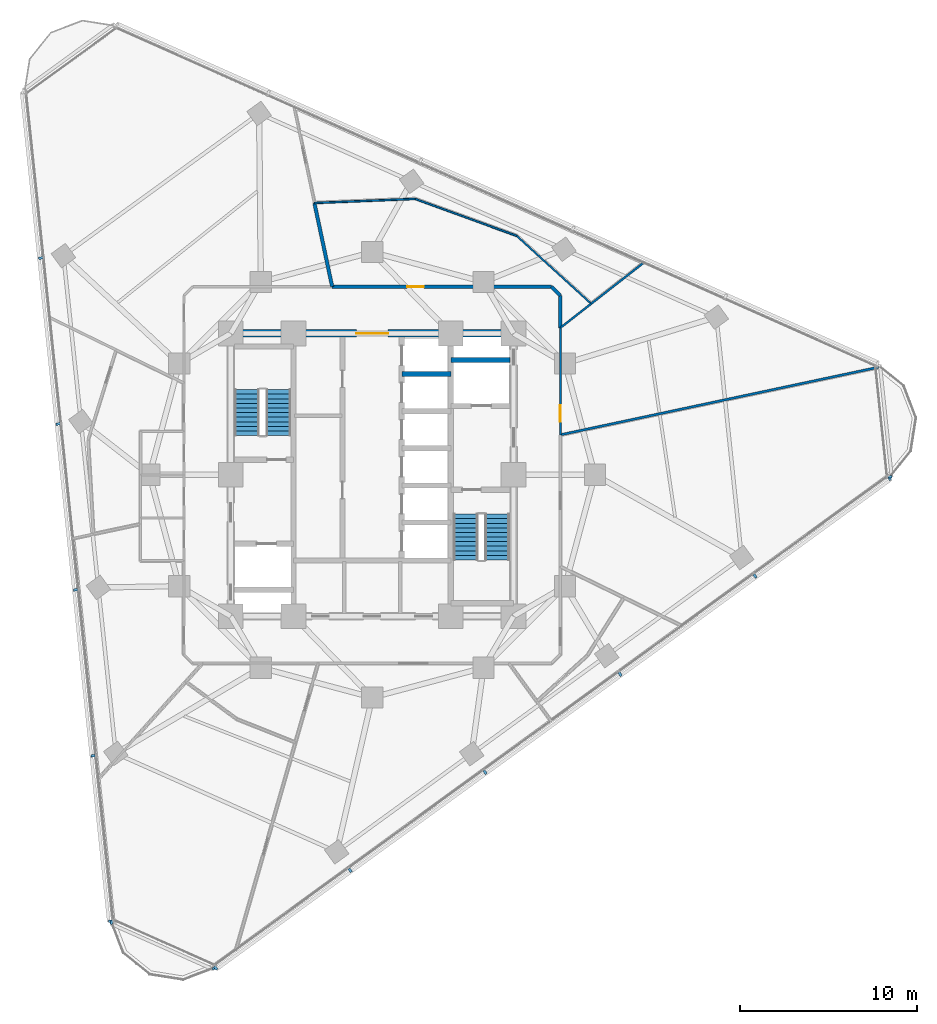
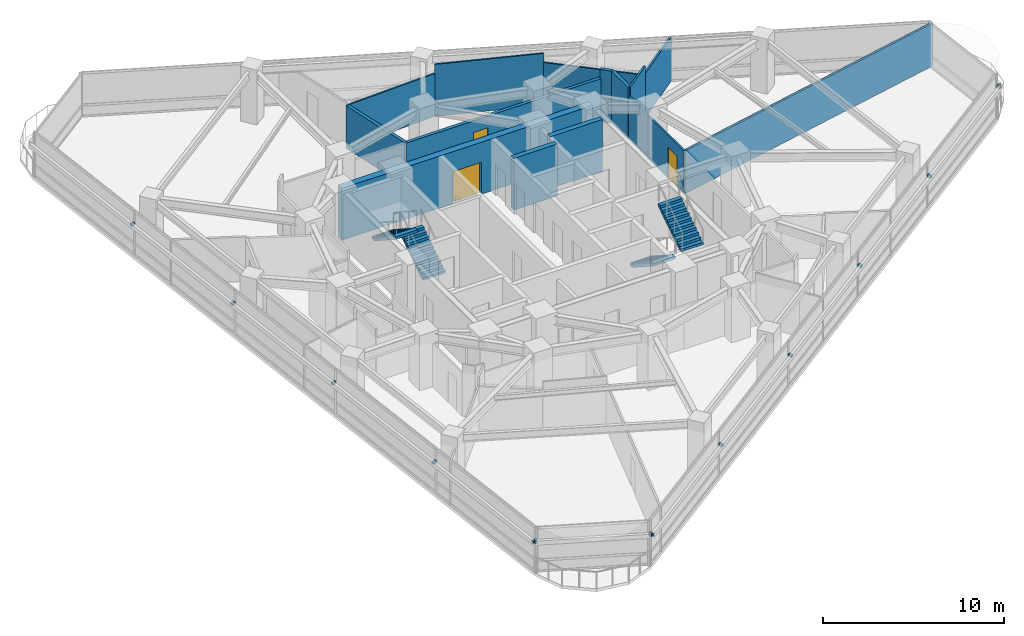
# One storey, part 10 of 14: 14 discrete accessories, 14 walls, 4 stair flights, 3 doors, 3 openings, 2 elements without a shape of their own.
"""IFC4 building model written with IfcOpenShell, lengths in metres."""

from ifc_helpers import new_model, si_unit, direction, frame, frame_2d, origin, origin_2d, place, context, subcontext, project, spatial, polyline, rectangle, outline, extrude, material, layer, layer_set, type_object, element, fill, aggregate, save


model = new_model("IFC4")

# Units and contexts
model_context = context("Model", 3, precision=1e-05, world=origin(), true_north=direction((0.0, 1.0)))
body_context = subcontext(model_context, "Body", "Model", "MODEL_VIEW")
ifc_project = project(units=[si_unit("LENGTHUNIT", "METRE"), si_unit("AREAUNIT", "SQUARE_METRE"), si_unit("VOLUMEUNIT", "CUBIC_METRE"), si_unit("PLANEANGLEUNIT", "RADIAN"), si_unit("MASSUNIT", "GRAM", prefix="KILO")], contexts=[model_context])

# Site, building, storey
site_placement = place(None, origin())
site = spatial("IfcSite", under=ifc_project, at=site_placement, CompositionType="ELEMENT")
building_placement = place(site_placement, origin())
building = spatial("IfcBuilding", under=site, at=building_placement, Name="Terralouvre Media Tower", CompositionType="ELEMENT")
storey_placement = place(building_placement, frame((0.0, 0.0, 169.39990234375)))
storey = spatial("IfcBuildingStorey", under=building, at=storey_placement, Name="L43", CompositionType="ELEMENT", Elevation=169.39990234375)

# Walls
ifc_material_1 = material(Name="Concrete C50/60", Category="concrete")
ifc_layer_1 = layer(ifc_material_1, 0.300048828125, Name="Core Internal Shaft Wall CW-300")
ifc_layer_set_1 = layer_set([ifc_layer_1], Name="Concrete C50/60")
wall_type_1 = type_object("IfcWallType", Name="Core Internal Shaft Wall CW-300", PredefinedType="SHEAR", material=ifc_layer_set_1)
wall_1_placement = place(storey_placement, frame((4.449951171875, 6.5, 0.0), z_axis=(0.0, 0.0, 1.0), x_axis=(1.0, 0.0, 0.0)))
element("IfcWall", 1, at=wall_1_placement, inside=storey, type_object=wall_type_1, Name="L43 Core Shaft Wall FF2N", PredefinedType="SHEAR", context=body_context, shape_type="SweptSolid", body=[
    extrude(rectangle(XDim=3.340087890625, YDim=0.300048828125, at=frame_2d((1.669921875, 0.0))), origin(), (0.0, 0.0, 1.0), 3.5),
])
wall_2_placement = place(storey_placement, frame((1.679931640625, 5.699951171875, 0.0), z_axis=(0.0, 0.0, 1.0), x_axis=(1.0, 0.0, 0.0)))
element("IfcWall", 2, at=wall_2_placement, inside=storey, type_object=wall_type_1, Name="L43 Core Shaft Wall PLMD2", PredefinedType="SHEAR", context=body_context, shape_type="SweptSolid", body=[
    extrude(rectangle(XDim=2.77001953125, YDim=0.300048828125, at=frame_2d((1.385009765625, 0.0))), origin(), (0.0, 0.0, 1.0), 3.5),
])

# Wall, opening, door
ifc_material_2 = material(Name="Concrete C60/75", Category="concrete")
ifc_layer_2 = layer(ifc_material_2, 0.419921875, Name="Core Reinforced Concrete Shear Wall CW-420")
ifc_layer_set_2 = layer_set([ifc_layer_2], Name="Concrete C60/75")
wall_type_2 = type_object("IfcWallType", Name="Core Reinforced Concrete Shear Wall CW-420", PredefinedType="SHEAR", material=ifc_layer_set_2)
wall_3_placement = place(storey_placement, frame((-8.0, 8.0, 0.0), z_axis=(0.0, 0.0, 1.0), x_axis=(1.0, 0.0, 0.0)))
wall_3 = element("IfcWall", 3, at=wall_3_placement, inside=storey, type_object=wall_type_2, Name="L43 N Core Shear Wall", PredefinedType="SHEAR", context=body_context, shape_type="SweptSolid", body=[
    extrude(rectangle(XDim=16.0, YDim=0.419921875, at=frame_2d((8.0, 0.0))), origin(), (0.0, 0.0, 1.0), 3.5),
])
opening_1_placement = place(wall_3_placement, frame((7.10009765625, 0.0, 0.0)))
opening_1 = element("IfcOpeningElement", 4, at=opening_1_placement, cuts=wall_3, Name="Opening FD-03", PredefinedType="OPENING", context=body_context, shape_type="SweptSolid", body=[
    extrude(rectangle(XDim=1.800048828125, YDim=2.14990234375, at=frame_2d((0.89990234375, 1.074951171875))), frame((0.0, 0.219970703125, 0.0), z_axis=(0.0, -1.0, 0.0), x_axis=(1.0, 0.0, 0.0)), (0.0, 0.0, 1.0), 0.43994140625),
])
ifc_material_3 = material(Name="Galvanised steel fire-resisting leaf", Category="steel")
door_type_1 = type_object("IfcDoorType", Name="Corridor Smoke-Control Double Door FD-03", OperationType="DOUBLE_DOOR_SINGLE_SWING", PredefinedType="DOOR", material=ifc_material_3)
door_1_placement = place(opening_1_placement, origin())
door_1 = element("IfcDoor", 5, at=door_1_placement, inside=storey, type_object=door_type_1, Name="L43 Central Lift Lobby Portal Door", OperationType="DOUBLE_DOOR_SINGLE_SWING", OverallHeight=2.14990234375, OverallWidth=1.800048828125, PredefinedType="DOOR", context=body_context, shape_type="SweptSolid", body=[
    extrude(rectangle(XDim=1.800048828125, YDim=2.14990234375, at=frame_2d((0.89990234375, 1.074951171875))), frame((0.0, 0.02490234375, 0.0), z_axis=(0.0, -1.0, 0.0), x_axis=(1.0, 0.0, 0.0)), (0.0, 0.0, 1.0), 0.050048828125),
])
fill(opening_1, door_1)

# Walls
ifc_material_4 = material(Name="Low-iron laminated double glazing with solar-control coating", Category="glass")
ifc_layer_3 = layer(ifc_material_4, 0.10009765625, Name="Demountable Glazed Office Partition PT-GL100")
ifc_layer_set_3 = layer_set([ifc_layer_3], Name="Low-iron laminated double glazing with solar-control coating")
wall_type_3 = type_object("IfcWallType", Name="Demountable Glazed Office Partition PT-GL100", PredefinedType="MOVABLE", material=ifc_layer_set_3)
wall_4_placement = place(storey_placement, frame((-3.26904296875, 15.381103515625, 0.0), z_axis=(0.0, 0.0, 1.0), x_axis=(0.999171753478, 0.040691609114, 0.0)))
element("IfcWall", 6, at=wall_4_placement, inside=storey, type_object=wall_type_3, Name="L43 Interior Partition 044", PredefinedType="MOVABLE", context=body_context, shape_type="SweptSolid", body=[
    extrude(rectangle(XDim=5.69970703125, YDim=0.10009765625, at=frame_2d((2.849853515625, 0.0))), origin(), (0.0, 0.0, 1.0), 2.885009765625),
])
wall_5_placement = place(storey_placement, frame((2.426025390625, 15.613037109375, 0.0), z_axis=(0.0, 0.0, 1.0), x_axis=(0.939701375228, -0.341996089736, 0.0)))
element("IfcWall", 7, at=wall_5_placement, inside=storey, type_object=wall_type_3, Name="L43 Interior Partition 045", PredefinedType="MOVABLE", context=body_context, shape_type="SweptSolid", body=[
    extrude(rectangle(XDim=6.1201171875, YDim=0.10009765625, at=frame_2d((3.06005859375, 0.0))), origin(), (0.0, 0.0, 1.0), 3.5),
])
wall_6_placement = place(storey_placement, frame((8.177001953125, 13.52001953125, 0.0), z_axis=(0.0, 0.0, 1.0), x_axis=(0.739232344885, -0.673450473514, 0.0)))
element("IfcWall", 8, at=wall_6_placement, inside=storey, type_object=wall_type_3, Name="L43 Interior Partition 046", PredefinedType="MOVABLE", context=body_context, shape_type="SweptSolid", body=[
    extrude(rectangle(XDim=5.70068359375, YDim=0.10009765625, at=frame_2d((2.850341796875, 0.0))), origin(), (0.0, 0.0, 1.0), 2.885009765625),
])
ifc_material_5 = material(Name="Fire-rated gypsum board drywall partition")
ifc_layer_4 = layer(ifc_material_5, 0.199951171875, Name="Fire-Rated Shaft and Lobby Partition FW-200")
ifc_layer_set_4 = layer_set([ifc_layer_4], Name="Fire-rated gypsum board drywall partition")
wall_type_4 = type_object("IfcWallType", Name="Fire-Rated Shaft and Lobby Partition FW-200", PredefinedType="SOLIDWALL", material=ifc_layer_set_4)
wall_7_placement = place(storey_placement, frame((10.64990234375, 8.321044921875, 0.0), z_axis=(0.0, 0.0, 1.0), x_axis=(0.0, 1.0, 0.0)))
element("IfcWall", 9, at=wall_7_placement, inside=storey, type_object=wall_type_4, Name="L43 Interior Partition 013", PredefinedType="SOLIDWALL", context=body_context, shape_type="SweptSolid", body=[
    extrude(rectangle(XDim=1.828857421875, YDim=0.199951171875, at=frame_2d((0.91455078125, 0.0))), origin(), (0.0, 0.0, 1.0), 3.5),
])
wall_8_placement = place(storey_placement, frame((10.64990234375, 10.14990234375, 0.0), z_axis=(0.0, 0.0, 1.0), x_axis=(-0.707106781187, 0.707106781187, 0.0)))
element("IfcWall", 10, at=wall_8_placement, inside=storey, type_object=wall_type_4, Name="L43 Interior Partition 014", PredefinedType="SOLIDWALL", context=body_context, shape_type="SweptSolid", body=[
    extrude(rectangle(XDim=0.70703125, YDim=0.199951171875, at=frame_2d((0.353515625, 0.0))), origin(), (0.0, 0.0, 1.0), 3.5),
])

# Wall, opening, door
wall_9_placement = place(storey_placement, frame((10.14990234375, 10.64990234375, 0.0), z_axis=(0.0, 0.0, 1.0), x_axis=(-1.0, 0.0, 0.0)))
wall_9 = element("IfcWall", 11, at=wall_9_placement, inside=storey, type_object=wall_type_4, Name="L43 Interior Partition 015", PredefinedType="SOLIDWALL", context=body_context, shape_type="SweptSolid", body=[
    extrude(rectangle(XDim=12.413818359375, YDim=0.199951171875, at=frame_2d((6.20703125, 0.0))), origin(), (0.0, 0.0, 1.0), 2.885009765625),
])
opening_2_placement = place(wall_9_placement, frame((7.2216796875, 0.0, 0.0)))
opening_2 = element("IfcOpeningElement", 12, at=opening_2_placement, cuts=wall_9, Name="Opening FD-02-95X210", PredefinedType="OPENING", context=body_context, shape_type="SweptSolid", body=[
    extrude(rectangle(XDim=0.949951171875, YDim=2.10009765625, at=frame_2d((0.47509765625, 1.050048828125))), frame((0.0, 0.10986328125, 0.0), z_axis=(0.0, -1.0, 0.0), x_axis=(1.0, 0.0, 0.0)), (0.0, 0.0, 1.0), 0.219970703125),
])
ifc_material_6 = material(Name="Galvanised steel fire-resisting leaf", Category="steel")
door_type_2 = type_object("IfcDoorType", Name="Plant and Riser Fire Door FD-02 (950x2100)", OperationType="NOTDEFINED", PredefinedType="DOOR", material=ifc_material_6)
door_2_placement = place(opening_2_placement, origin())
door_2 = element("IfcDoor", 13, at=door_2_placement, inside=storey, type_object=door_type_2, Name="L43 AV Teaching Rack Server Room 10 Door", OperationType="SINGLE_SWING_LEFT", OverallHeight=2.10009765625, OverallWidth=0.949951171875, PredefinedType="DOOR", context=body_context, shape_type="SweptSolid", body=[
    extrude(rectangle(XDim=0.949951171875, YDim=2.10009765625, at=frame_2d((0.47509765625, 1.050048828125))), frame((0.0, 0.02490234375, 0.0), z_axis=(0.0, -1.0, 0.0), x_axis=(1.0, 0.0, 0.0)), (0.0, 0.0, 1.0), 0.050048828125),
])
fill(opening_2, door_2)

# Walls
wall_10_placement = place(storey_placement, frame((-3.26904296875, 15.381103515625, 0.0), z_axis=(0.0, 0.0, 1.0), x_axis=(0.207808649559, -0.978169497157, 0.0)))
element("IfcWall", 14, at=wall_10_placement, inside=storey, type_object=wall_type_4, Name="L43 Interior Partition 048", PredefinedType="SOLIDWALL", context=body_context, shape_type="SweptSolid", body=[
    extrude(rectangle(XDim=4.836669921875, YDim=0.199951171875, at=frame_2d((2.41845703125, 0.0))), origin(), (0.0, 0.0, 1.0), 2.885009765625),
])
ifc_material_7 = material(Name="Fire-rated gypsum board drywall partition")
ifc_layer_5 = layer(ifc_material_7, 0.135009765625, Name="Newsroom Acoustic Partition PT-135")
ifc_layer_set_5 = layer_set([ifc_layer_5], Name="Fire-rated gypsum board drywall partition")
wall_type_5 = type_object("IfcWallType", Name="Newsroom Acoustic Partition PT-135", PredefinedType="PARTITIONING", material=ifc_layer_set_5)
wall_11_placement = place(storey_placement, frame((28.65087890625, 6.08984375, 0.0), z_axis=(0.0, 0.0, 1.0), x_axis=(-0.978150893197, -0.207896200392, 0.0)))
element("IfcWall", 15, at=wall_11_placement, inside=storey, type_object=wall_type_5, Name="L43 Interior Partition 041", PredefinedType="PARTITIONING", context=body_context, shape_type="SweptSolid", body=[
    extrude(rectangle(XDim=18.403076171875, YDim=0.135009765625, at=frame_2d((9.20166015625, 0.0))), origin(), (0.0, 0.0, 1.0), 2.885009765625),
])

# Wall, opening, door
ifc_material_8 = material(Name="Fire-rated gypsum board drywall partition")
ifc_layer_6 = layer(ifc_material_8, 0.114990234375, Name="Restroom and Pantry Partition PT-115")
ifc_layer_set_6 = layer_set([ifc_layer_6], Name="Fire-rated gypsum board drywall partition")
wall_type_6 = type_object("IfcWallType", Name="Restroom and Pantry Partition PT-115", PredefinedType="PARTITIONING", material=ifc_layer_set_6)
wall_12_placement = place(storey_placement, frame((10.64990234375, 2.263916015625, 0.0), z_axis=(0.0, 0.0, 1.0), x_axis=(0.0, 1.0, 0.0)))
wall_12 = element("IfcWall", 16, at=wall_12_placement, inside=storey, type_object=wall_type_6, Name="L43 Interior Partition 012", PredefinedType="PARTITIONING", context=body_context, shape_type="SweptSolid", body=[
    extrude(rectangle(XDim=6.05712890625, YDim=0.114990234375, at=frame_2d((3.028564453125, 0.0))), origin(), (0.0, 0.0, 1.0), 2.885009765625),
])
opening_3_placement = place(wall_12_placement, frame((0.736328125, 0.0, 0.0)))
opening_3 = element("IfcOpeningElement", 17, at=opening_3_placement, cuts=wall_12, Name="Opening SD-01-95X210", PredefinedType="OPENING", context=body_context, shape_type="SweptSolid", body=[
    extrude(rectangle(XDim=0.949951171875, YDim=2.10009765625, at=frame_2d((0.47509765625, 1.050048828125))), frame((0.0, 0.0673828125, 0.0), z_axis=(0.0, -1.0, 0.0), x_axis=(1.0, 0.0, 0.0)), (0.0, 0.0, 1.0), 0.135009765625),
])
ifc_material_9 = material(Name="Anodised extruded aluminium 6063-T6", Category="aluminium")
door_type_3 = type_object("IfcDoorType", Name="Pantry Pocket Sliding Door SD-01 (950x2100)", OperationType="SLIDING_TO_LEFT", PredefinedType="DOOR", material=ifc_material_9)
door_3_placement = place(opening_3_placement, origin())
door_3 = element("IfcDoor", 18, at=door_3_placement, inside=storey, type_object=door_type_3, Name="L43 Academy Refreshment Pantry 8 Door", OperationType="SLIDING_TO_LEFT", OverallHeight=2.10009765625, OverallWidth=0.949951171875, PredefinedType="DOOR", context=body_context, shape_type="SweptSolid", body=[
    extrude(rectangle(XDim=0.949951171875, YDim=2.10009765625, at=frame_2d((0.47509765625, 1.050048828125))), frame((0.0, 0.02490234375, 0.0), z_axis=(0.0, -1.0, 0.0), x_axis=(1.0, 0.0, 0.0)), (0.0, 0.0, 1.0), 0.050048828125),
])
fill(opening_3, door_3)

# Walls
wall_13_placement = place(storey_placement, frame((15.390869140625, 12.02490234375, 0.0), z_axis=(0.0, 0.0, 1.0), x_axis=(-0.787968951689, -0.615714975597, 0.0)))
element("IfcWall", 19, at=wall_13_placement, inside=storey, type_object=wall_type_6, Name="L43 Interior Partition 042", PredefinedType="PARTITIONING", context=body_context, shape_type="SweptSolid", body=[
    extrude(rectangle(XDim=3.806884765625, YDim=0.114990234375, at=frame_2d((1.9033203125, 0.0))), origin(), (0.0, 0.0, 1.0), 2.985107421875),
])
wall_14_placement = place(storey_placement, frame((12.39111328125, 9.680908203125, 0.0), z_axis=(0.0, 0.0, 1.0), x_axis=(-0.788124883644, -0.615515367624, 0.0)))
element("IfcWall", 20, at=wall_14_placement, inside=storey, type_object=wall_type_6, Name="L43 Interior Partition 043", PredefinedType="PARTITIONING", context=body_context, shape_type="SweptSolid", body=[
    extrude(rectangle(XDim=2.209228515625, YDim=0.114990234375, at=frame_2d((1.1044921875, 0.0))), origin(), (0.0, 0.0, 1.0), 3.5),
])

# Stair, stair flights
ifc_material_10 = material(Name="Concrete C45/55", Category="concrete")
stair_type_1 = type_object("IfcStairType", Name="Dogleg Stair Assembly ST-01", PredefinedType="HALF_TURN_STAIR", material=ifc_material_10)
stair_1_placement = place(storey_placement, origin())
stair_1 = element("IfcStair", 21, at=stair_1_placement, inside=storey, type_object=stair_type_1, Name="L43 Core Pressurised Exit Stair ST-01", PredefinedType="HALF_TURN_STAIR")
ifc_material_11 = material(Name="Concrete C45/55", Category="concrete")
stair_flight_type = type_object("IfcStairFlightType", Name="Reinforced Concrete Stair Flight SF-RC1", PredefinedType="STRAIGHT", material=ifc_material_11)
stair_flight_1_placement = place(storey_placement, frame((-5.300048828125, 2.219970703125, 0.0), z_axis=(0.0, 0.0, 1.0), x_axis=(0.0, 1.0, 0.0)))
stair_flight_1 = element("IfcStairFlight", 22, at=stair_flight_1_placement, type_object=stair_flight_type, Name="ST-01 flight 1", NumberOfRisers=11, NumberOfTreads=10, PredefinedType="STRAIGHT", RiserHeight=0.168181818, TreadLength=0.26, context=body_context, shape_type="SweptSolid", body=[
    extrude(outline(polyline([(0.0, 0.0), (0.0, 0.168212890625), (0.260009765625, 0.168212890625), (0.260009765625, 0.33642578125), (0.52001953125, 0.33642578125), (0.52001953125, 0.504638671875), (0.780029296875, 0.504638671875), (0.780029296875, 0.672607421875), (1.0400390625, 0.672607421875), (1.0400390625, 0.8408203125), (1.300048828125, 0.8408203125), (1.300048828125, 1.009033203125), (1.56005859375, 1.009033203125), (1.56005859375, 1.17724609375), (1.820068359375, 1.17724609375), (1.820068359375, 1.345458984375), (2.080078125, 1.345458984375), (2.080078125, 1.513671875), (2.340087890625, 1.513671875), (2.340087890625, 1.681884765625), (2.60009765625, 1.681884765625), (2.60009765625, 1.85009765625), (2.60009765625, 1.503173828125), (0.27587890625, 0.0), (0.0, 0.0)])), frame((0.0, 0.699951171875, 0.0), z_axis=(0.0, -1.0, 0.0), x_axis=(1.0, 0.0, 0.0)), (0.0, 0.0, 1.0), 1.39990234375),
])
stair_flight_2_placement = place(storey_placement, frame((-7.080078125, 4.820068359375, 1.85009765625), z_axis=(0.0, 0.0, 1.0), x_axis=(0.0, -1.0, 0.0)))
stair_flight_2 = element("IfcStairFlight", 23, at=stair_flight_2_placement, type_object=stair_flight_type, Name="ST-01 flight 2", NumberOfRisers=11, NumberOfTreads=10, PredefinedType="STRAIGHT", RiserHeight=0.168181818, TreadLength=0.26, context=body_context, shape_type="SweptSolid", body=[
    extrude(outline(polyline([(0.0, 0.0), (0.0, 0.168212890625), (0.260009765625, 0.168212890625), (0.260009765625, 0.33642578125), (0.52001953125, 0.33642578125), (0.52001953125, 0.504638671875), (0.780029296875, 0.504638671875), (0.780029296875, 0.672607421875), (1.0400390625, 0.672607421875), (1.0400390625, 0.8408203125), (1.300048828125, 0.8408203125), (1.300048828125, 1.009033203125), (1.56005859375, 1.009033203125), (1.56005859375, 1.17724609375), (1.820068359375, 1.17724609375), (1.820068359375, 1.345458984375), (2.080078125, 1.345458984375), (2.080078125, 1.513671875), (2.340087890625, 1.513671875), (2.340087890625, 1.681884765625), (2.60009765625, 1.681884765625), (2.60009765625, 1.85009765625), (2.60009765625, 1.503173828125), (0.27587890625, 0.0), (0.0, 0.0)])), frame((0.0, 0.699951171875, 0.0), z_axis=(0.0, -1.0, 0.0), x_axis=(1.0, 0.0, 0.0)), (0.0, 0.0, 1.0), 1.39990234375),
])
aggregate(stair_1, [stair_flight_1, stair_flight_2])

ifc_material_12 = material(Name="Concrete C45/55", Category="concrete")
stair_type_2 = type_object("IfcStairType", Name="Dogleg Stair Assembly ST-02", PredefinedType="HALF_TURN_STAIR", material=ifc_material_12)
stair_2_placement = place(storey_placement, origin())
stair_2 = element("IfcStair", 24, at=stair_2_placement, inside=storey, type_object=stair_type_2, Name="L43 Core Pressurised Exit Stair ST-02", PredefinedType="HALF_TURN_STAIR")
stair_flight_3_placement = place(storey_placement, frame((5.300048828125, -2.219970703125, 0.0), z_axis=(0.0, 0.0, 1.0), x_axis=(0.0, -1.0, 0.0)))
stair_flight_3 = element("IfcStairFlight", 25, at=stair_flight_3_placement, type_object=stair_flight_type, Name="ST-02 flight 1", NumberOfRisers=11, NumberOfTreads=10, PredefinedType="STRAIGHT", RiserHeight=0.168181818, TreadLength=0.26, context=body_context, shape_type="SweptSolid", body=[
    extrude(outline(polyline([(0.0, 0.0), (0.0, 0.168212890625), (0.260009765625, 0.168212890625), (0.260009765625, 0.33642578125), (0.52001953125, 0.33642578125), (0.52001953125, 0.504638671875), (0.780029296875, 0.504638671875), (0.780029296875, 0.672607421875), (1.0400390625, 0.672607421875), (1.0400390625, 0.8408203125), (1.300048828125, 0.8408203125), (1.300048828125, 1.009033203125), (1.56005859375, 1.009033203125), (1.56005859375, 1.17724609375), (1.820068359375, 1.17724609375), (1.820068359375, 1.345458984375), (2.080078125, 1.345458984375), (2.080078125, 1.513671875), (2.340087890625, 1.513671875), (2.340087890625, 1.681884765625), (2.60009765625, 1.681884765625), (2.60009765625, 1.85009765625), (2.60009765625, 1.503173828125), (0.27587890625, 0.0), (0.0, 0.0)])), frame((0.0, 0.699951171875, 0.0), z_axis=(0.0, -1.0, 0.0), x_axis=(1.0, 0.0, 0.0)), (0.0, 0.0, 1.0), 1.39990234375),
])
stair_flight_4_placement = place(storey_placement, frame((7.080078125, -4.820068359375, 1.85009765625), z_axis=(0.0, 0.0, 1.0), x_axis=(0.0, 1.0, 0.0)))
stair_flight_4 = element("IfcStairFlight", 26, at=stair_flight_4_placement, type_object=stair_flight_type, Name="ST-02 flight 2", NumberOfRisers=11, NumberOfTreads=10, PredefinedType="STRAIGHT", RiserHeight=0.168181818, TreadLength=0.26, context=body_context, shape_type="SweptSolid", body=[
    extrude(outline(polyline([(0.0, 0.0), (0.0, 0.168212890625), (0.260009765625, 0.168212890625), (0.260009765625, 0.33642578125), (0.52001953125, 0.33642578125), (0.52001953125, 0.504638671875), (0.780029296875, 0.504638671875), (0.780029296875, 0.672607421875), (1.0400390625, 0.672607421875), (1.0400390625, 0.8408203125), (1.300048828125, 0.8408203125), (1.300048828125, 1.009033203125), (1.56005859375, 1.009033203125), (1.56005859375, 1.17724609375), (1.820068359375, 1.17724609375), (1.820068359375, 1.345458984375), (2.080078125, 1.345458984375), (2.080078125, 1.513671875), (2.340087890625, 1.513671875), (2.340087890625, 1.681884765625), (2.60009765625, 1.681884765625), (2.60009765625, 1.85009765625), (2.60009765625, 1.503173828125), (0.27587890625, 0.0), (0.0, 0.0)])), frame((0.0, 0.699951171875, 0.0), z_axis=(0.0, -1.0, 0.0), x_axis=(1.0, 0.0, 0.0)), (0.0, 0.0, 1.0), 1.39990234375),
])
aggregate(stair_2, [stair_flight_3, stair_flight_4])

# Discrete accessories
ifc_material_13 = material(Name="Anodised extruded aluminium 6063-T6", Category="aluminium")
discrete_accessory_type = type_object("IfcDiscreteAccessoryType", Name="Mullion Stand-Off Baguette Fixing Bracket BK-01", PredefinedType="BRACKET", material=ifc_material_13)
for number, where, z_axis, x_axis, name in (
    (27, (-8.855224609375, -27.898681640625, 2.07421875), (0.0, 0.0, 1.0), (0.809016917383, 0.587785358263, 0.0), "CW-L43-F0 Baguette Outrigger Bracket 1.01"),
    (28, (-1.24853515625, -22.3720703125, 2.07421875), (0.0, 0.0, 1.0), (0.809016917383, 0.587785358263, 0.0), "CW-L43-F0 Baguette Outrigger Bracket 1.02"),
    (29, (6.388671875, -16.8232421875, 2.07421875), (0.0, 0.0, 1.0), (0.809016917383, 0.587785358263, 0.0), "CW-L43-F0 Baguette Outrigger Bracket 1.03"),
    (30, (14.025634765625, -11.274658203125, 2.07421875), (0.0, 0.0, 1.0), (0.809016917383, 0.587785358263, 0.0), "CW-L43-F0 Baguette Outrigger Bracket 1.04"),
    (31, (21.662841796875, -5.725830078125, 2.07421875), (0.0, 0.0, 1.0), (0.809016917383, 0.587785358263, 0.0), "CW-L43-F0 Baguette Outrigger Bracket 1.05"),
    (32, (29.26953125, -0.19921875, 2.07421875), (0.0, 0.0, 1.0), (0.809016917383, 0.587785358263, 0.0), "CW-L43-F0 Baguette Outrigger Bracket 1.06"),
    (33, (-18.75048828125, 12.267333984375, 2.07421875), (0.0, 0.0, 1.0), (0.104528376236, -0.994521904516, 0.0), "CW-L43-F2 Baguette Outrigger Bracket 1.02"),
    (34, (-17.763671875, 2.87890625, 2.07421875), (0.0, 0.0, 1.0), (0.104528376236, -0.994521904516, 0.0), "CW-L43-F2 Baguette Outrigger Bracket 1.03"),
    (35, (-16.77685546875, -6.50927734375, 2.07421875), (0.0, 0.0, 1.0), (0.104528376236, -0.994521904516, 0.0), "CW-L43-F2 Baguette Outrigger Bracket 1.04"),
    (36, (-15.790283203125, -15.897705078125, 2.07421875), (0.0, 0.0, 1.0), (0.104528376236, -0.994521904516, 0.0), "CW-L43-F2 Baguette Outrigger Bracket 1.05"),
    (37, (-14.807373046875, -25.24853515625, 2.07421875), (0.0, 0.0, 1.0), (0.104528376236, -0.994521904516, 0.0), "CW-L43-F2 Baguette Outrigger Bracket 1.06"),
    (38, (-14.737548828125, -25.315185546875, 2.07421875), (0.0, 0.0, 1.0), (0.913545408199, -0.406736754128, 0.0), "CW-L43-C0 Baguette Outrigger Bracket 1.01"),
    (39, (-8.95166015625, -27.891357421875, 2.07421875), (0.0, 0.0, 1.0), (0.913545408199, -0.406736754128, 0.0), "CW-L43-C0 Baguette Outrigger Bracket 1.02"),
    (40, (29.29248046875, -0.10546875, 2.07421875), (0.0, 0.0, 1.0), (-0.10452850319, 0.994521891172, 0.0), "CW-L43-C1 Baguette Outrigger Bracket 1.01"),
):
    element("IfcDiscreteAccessory", number, at=place(storey_placement, frame(where, z_axis=z_axis, x_axis=x_axis)), inside=storey, type_object=discrete_accessory_type, Name=name, PredefinedType="BRACKET", context=body_context, shape_type="SweptSolid", body=[
        extrude(rectangle(XDim=0.139892578125, YDim=0.239990234375, at=origin_2d()), origin(), (0.0, 0.0, 1.0), 0.179931640625),
    ])

save(model, "model.ifc")
